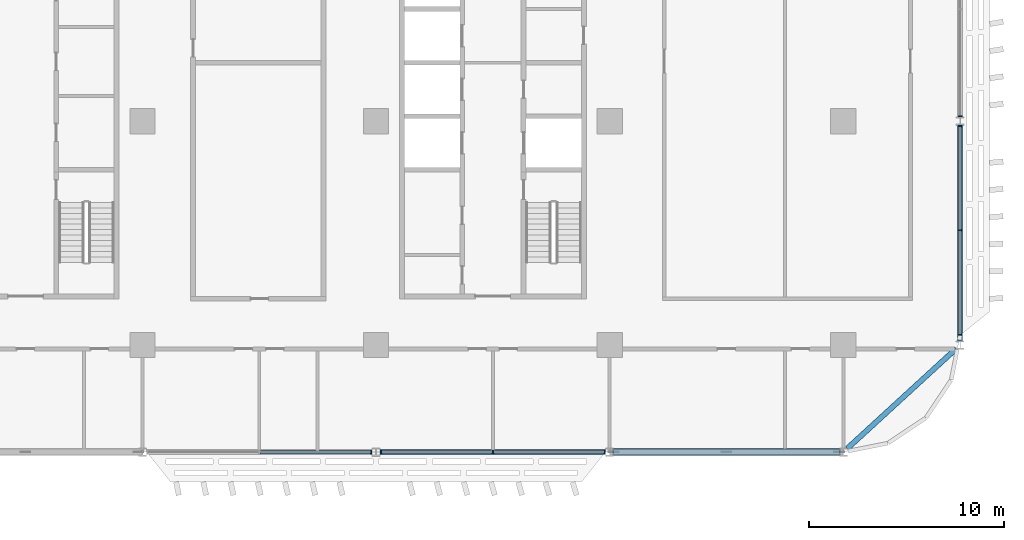
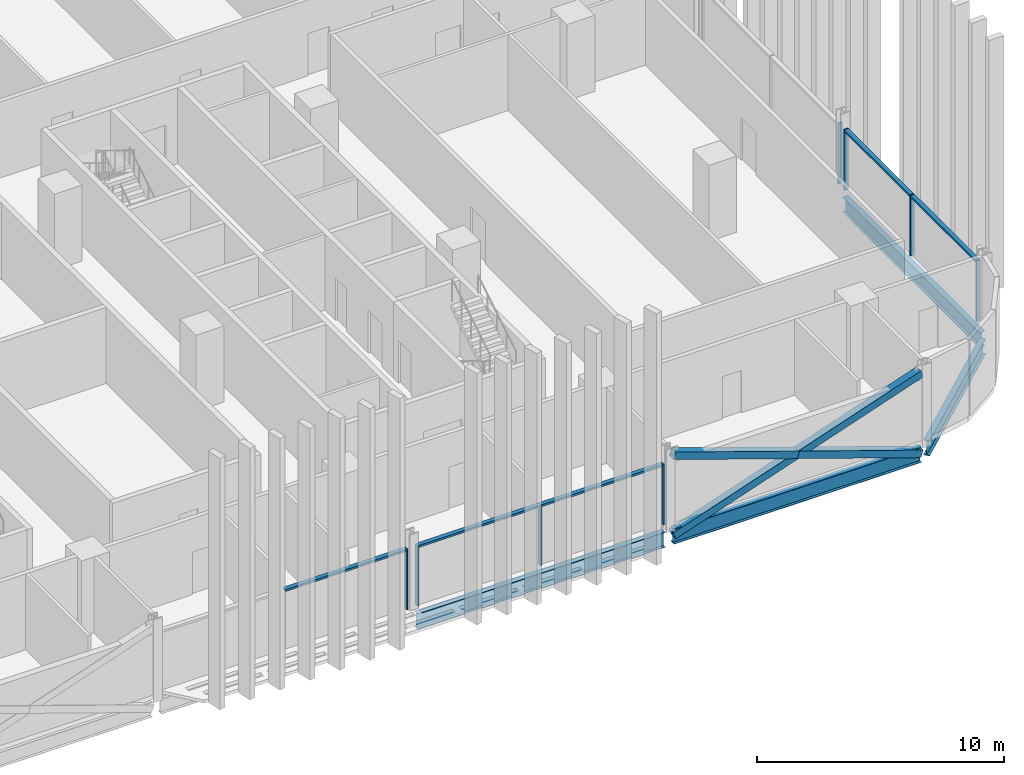
# One storey, part 8 of 32: 16 members, 4 beams, 4 elements without a shape of their own.
"""IFC4 building model written with IfcOpenShell, lengths in metres."""

from ifc_helpers import new_model, si_unit, direction, frame, origin, origin_2d, place, context, subcontext, project, spatial, rectangle, hollow_rectangle, i_section, extrude, material, material_profile, profile_set, type_object, element, aggregate, save


model = new_model("IFC4")

# Units and contexts
model_context = context("Model", 3, precision=1e-05, world=origin(), true_north=direction((0.0, 1.0)))
body_context = subcontext(model_context, "Body", "Model", "MODEL_VIEW")
ifc_project = project(units=[si_unit("LENGTHUNIT", "METRE"), si_unit("AREAUNIT", "SQUARE_METRE"), si_unit("VOLUMEUNIT", "CUBIC_METRE"), si_unit("PLANEANGLEUNIT", "RADIAN"), si_unit("MASSUNIT", "GRAM", prefix="KILO")], contexts=[model_context])

# Site, building, storey
site_placement = place(None, origin())
site = spatial("IfcSite", under=ifc_project, at=site_placement, CompositionType="ELEMENT")
building_placement = place(site_placement, origin())
building = spatial("IfcBuilding", under=site, at=building_placement, Name="Mahtab Terrace Research Tower", CompositionType="ELEMENT")
storey_placement = place(building_placement, frame((0.0, 0.0, 138.39990234375)))
storey = spatial("IfcBuildingStorey", under=building, at=storey_placement, Name="L32", CompositionType="ELEMENT", Elevation=138.39990234375)

# Members
ifc_material_1 = material(Name="Steel ASTM A500 Gr C", Category="steel")
ifc_material_profile_1 = material_profile(ifc_material_1, hollow_rectangle(XDim=0.355712890625, YDim=0.355712890625, WallThickness=0.01904296875, at=origin_2d()), Name="HSS14X14X3/4")
ifc_profile_set_1 = profile_set([ifc_material_profile_1], Name="Steel ASTM A500 Gr C")
member_type_1 = type_object("IfcMemberType", Name="HSS 14x14x3/4 brace XB141434", PredefinedType="BRACE", material=ifc_profile_set_1)
member_1_placement = place(storey_placement, frame((30.205810546875, -17.0, -0.64794921875), z_axis=(0.946294377485, 0.0, 0.323306280699), x_axis=(0.0, 1.0, 0.0)))
element("IfcMember", 1, at=member_1_placement, inside=storey, type_object=member_type_1, Name="Exoskeleton brace L32 20 a", PredefinedType="BRACE", context=body_context, shape_type="SweptSolid", body=[
    extrude(hollow_rectangle(XDim=0.355712890625, YDim=0.355712890625, WallThickness=0.01904296875, at=origin_2d()), origin(), (0.0, 0.0, 1.0), 12.24609375),
])
for number, where, z_axis, x_axis, name in (
    (2, (41.794189453125, -17.0, -0.64794921875), (-0.946300476713, 0.0, 0.323288428146), (0.0, -1.0, 0.0), "Exoskeleton brace L32 20 b1"),
    (3, (36.0, -17.0, 1.33154296875), (-0.946288278, 0.0, 0.323324132908), (0.0, -1.0, 0.0), "Exoskeleton brace L32 20 b2"),
):
    element("IfcMember", number, at=place(storey_placement, frame(where, z_axis=z_axis, x_axis=x_axis)), inside=storey, type_object=member_type_1, Name=name, PredefinedType="BRACE", context=body_context, shape_type="SweptSolid", body=[
        extrude(hollow_rectangle(XDim=0.355712890625, YDim=0.355712890625, WallThickness=0.01904296875, at=origin_2d()), origin(), (0.0, 0.0, 1.0), 6.123046875),
    ])

# Curtain wall, member
ifc_material_2 = material(Name="Laboratory ribbon curtain wall")
curtain_wall_type = type_object("IfcCurtainWallType", Name="Laboratory ribbon curtain wall", PredefinedType="NOTDEFINED", material=ifc_material_2)
curtain_wall_1_placement = place(storey_placement, origin())
curtain_wall_1 = element("IfcCurtainWall", 4, at=curtain_wall_1_placement, inside=storey, type_object=curtain_wall_type, Name="EN.L32.13.28", PredefinedType="NOTDEFINED")
ifc_material_3 = material(Name="Natural anodised aluminium", Category="aluminium")
ifc_material_profile_2 = material_profile(ifc_material_3, rectangle(XDim=0.199951171875, YDim=0.06494140625, at=origin_2d()), Name="MULLION 65x200")
ifc_profile_set_2 = profile_set([ifc_material_profile_2], Name="Natural anodised aluminium")
member_type_2 = type_object("IfcMemberType", Name="Laboratory ribbon curtain wall mullion", PredefinedType="MULLION", material=ifc_profile_set_2)
member_2_placement = place(storey_placement, frame((17.74951171875, -17.0, 0.0), z_axis=(0.0, 0.0, 1.0), x_axis=(0.0, 1.0, 0.0)))
member_2 = element("IfcMember", 5, at=member_2_placement, type_object=member_type_2, Name="CWL-4 mullion 3", PredefinedType="MULLION", context=body_context, shape_type="SweptSolid", body=[
    extrude(rectangle(XDim=0.199951171875, YDim=0.06494140625, at=origin_2d()), origin(), (0.0, 0.0, 1.0), 3.003173828125),
])

# Curtain wall, members
curtain_wall_2_placement = place(storey_placement, origin())
curtain_wall_2 = element("IfcCurtainWall", 6, at=curtain_wall_2_placement, inside=storey, type_object=curtain_wall_type, Name="EN.L32.13.29", PredefinedType="NOTDEFINED")
member_3_placement = place(storey_placement, frame((18.25048828125, -17.0, 0.0), z_axis=(0.0, 0.0, 1.0), x_axis=(0.0, 1.0, 0.0)))
member_3 = element("IfcMember", 7, at=member_3_placement, type_object=member_type_2, Name="CWL-4 mullion 1", PredefinedType="MULLION", context=body_context, shape_type="SweptSolid", body=[
    extrude(rectangle(XDim=0.199951171875, YDim=0.06494140625, at=origin_2d()), origin(), (0.0, 0.0, 1.0), 3.003173828125),
])
member_4_placement = place(storey_placement, frame((24.0, -17.0, 0.0), z_axis=(0.0, 0.0, 1.0), x_axis=(0.0, 1.0, 0.0)))
member_4 = element("IfcMember", 8, at=member_4_placement, type_object=member_type_2, Name="CWL-4 mullion 2", PredefinedType="MULLION", context=body_context, shape_type="SweptSolid", body=[
    extrude(rectangle(XDim=0.199951171875, YDim=0.06494140625, at=origin_2d()), origin(), (0.0, 0.0, 1.0), 3.003173828125),
])
member_5_placement = place(storey_placement, frame((29.74951171875, -17.0, 0.0), z_axis=(0.0, 0.0, 1.0), x_axis=(0.0, 1.0, 0.0)))
member_5 = element("IfcMember", 9, at=member_5_placement, type_object=member_type_2, Name="CWL-4 mullion 3", PredefinedType="MULLION", context=body_context, shape_type="SweptSolid", body=[
    extrude(rectangle(XDim=0.199951171875, YDim=0.06494140625, at=origin_2d()), origin(), (0.0, 0.0, 1.0), 3.003173828125),
])

curtain_wall_3_placement = place(storey_placement, origin())
curtain_wall_3 = element("IfcCurtainWall", 10, at=curtain_wall_3_placement, inside=storey, type_object=curtain_wall_type, Name="EN.L32.18.36", PredefinedType="NOTDEFINED")
member_6_placement = place(storey_placement, frame((48.0, -10.967529296875, 0.0), z_axis=(0.0, 0.0, 1.0), x_axis=(-1.0, 0.0, 0.0)))
member_6 = element("IfcMember", 11, at=member_6_placement, type_object=member_type_2, Name="CWL-4 mullion 1", PredefinedType="MULLION", context=body_context, shape_type="SweptSolid", body=[
    extrude(rectangle(XDim=0.199951171875, YDim=0.06494140625, at=origin_2d()), origin(), (0.0, 0.0, 1.0), 3.003173828125),
])
member_7_placement = place(storey_placement, frame((48.0, -5.60888671875, 0.0), z_axis=(0.0, 0.0, 1.0), x_axis=(-1.0, 0.0, 0.0)))
member_7 = element("IfcMember", 12, at=member_7_placement, type_object=member_type_2, Name="CWL-4 mullion 2", PredefinedType="MULLION", context=body_context, shape_type="SweptSolid", body=[
    extrude(rectangle(XDim=0.199951171875, YDim=0.06494140625, at=origin_2d()), origin(), (0.0, 0.0, 1.0), 3.003173828125),
])
member_8_placement = place(storey_placement, frame((48.0, -0.25048828125, 0.0), z_axis=(0.0, 0.0, 1.0), x_axis=(-1.0, 0.0, 0.0)))
member_8 = element("IfcMember", 13, at=member_8_placement, type_object=member_type_2, Name="CWL-4 mullion 3", PredefinedType="MULLION", context=body_context, shape_type="SweptSolid", body=[
    extrude(rectangle(XDim=0.199951171875, YDim=0.06494140625, at=origin_2d()), origin(), (0.0, 0.0, 1.0), 3.003173828125),
])

# Curtain wall, member
curtain_wall_4_placement = place(storey_placement, origin())
curtain_wall_4 = element("IfcCurtainWall", 14, at=curtain_wall_4_placement, inside=storey, type_object=curtain_wall_type, Name="EN.L32.18.37", PredefinedType="NOTDEFINED")
member_9_placement = place(storey_placement, frame((48.0, 0.25048828125, 0.0), z_axis=(0.0, 0.0, 1.0), x_axis=(-1.0, 0.0, 0.0)))
member_9 = element("IfcMember", 15, at=member_9_placement, type_object=member_type_2, Name="CWL-4 mullion 1", PredefinedType="MULLION", context=body_context, shape_type="SweptSolid", body=[
    extrude(rectangle(XDim=0.199951171875, YDim=0.06494140625, at=origin_2d()), origin(), (0.0, 0.0, 1.0), 3.003173828125),
])
aggregate(curtain_wall_4, [member_9])

# Member
ifc_material_profile_3 = material_profile(ifc_material_3, rectangle(XDim=0.199951171875, YDim=0.10009765625, at=origin_2d()), Name="TRANSOM 100x200")
ifc_profile_set_3 = profile_set([ifc_material_profile_3], Name="Natural anodised aluminium")
member_type_3 = type_object("IfcMemberType", Name="Laboratory ribbon curtain wall transom", PredefinedType="USERDEFINED", material=ifc_profile_set_3)
member_10_placement = place(storey_placement, frame((12.032470703125, -17.0, 2.953125), z_axis=(1.0, 0.0, 0.0), x_axis=(0.0, 1.0, 0.0)))
member_10 = element("IfcMember", 16, at=member_10_placement, type_object=member_type_3, Name="CWL-4 transom 2", ObjectType="TRANSOM", PredefinedType="USERDEFINED", context=body_context, shape_type="SweptSolid", body=[
    extrude(rectangle(XDim=0.199951171875, YDim=0.10009765625, at=origin_2d()), origin(), (0.0, 0.0, 1.0), 5.6845703125),
])

aggregate(curtain_wall_1, [member_2, member_10])

member_11_placement = place(storey_placement, frame((18.282958984375, -17.0, 2.953125), z_axis=(1.0, 0.0, 0.0), x_axis=(0.0, 1.0, 0.0)))
member_11 = element("IfcMember", 17, at=member_11_placement, type_object=member_type_3, Name="CWL-4 transom 1", ObjectType="TRANSOM", PredefinedType="USERDEFINED", context=body_context, shape_type="SweptSolid", body=[
    extrude(rectangle(XDim=0.199951171875, YDim=0.10009765625, at=origin_2d()), origin(), (0.0, 0.0, 1.0), 5.6845703125),
])

member_12_placement = place(storey_placement, frame((24.032470703125, -17.0, 2.953125), z_axis=(1.0, 0.0, 0.0), x_axis=(0.0, 1.0, 0.0)))
member_12 = element("IfcMember", 18, at=member_12_placement, type_object=member_type_3, Name="CWL-4 transom 2", ObjectType="TRANSOM", PredefinedType="USERDEFINED", context=body_context, shape_type="SweptSolid", body=[
    extrude(rectangle(XDim=0.199951171875, YDim=0.10009765625, at=origin_2d()), origin(), (0.0, 0.0, 1.0), 5.6845703125),
])

aggregate(curtain_wall_2, [member_3, member_4, member_5, member_11, member_12])

member_13_placement = place(storey_placement, frame((48.0, -10.93505859375, 2.953125), z_axis=(0.0, 1.0, 0.0), x_axis=(-1.0, 0.0, 0.0)))
member_13 = element("IfcMember", 19, at=member_13_placement, type_object=member_type_3, Name="CWL-4 transom 1", ObjectType="TRANSOM", PredefinedType="USERDEFINED", context=body_context, shape_type="SweptSolid", body=[
    extrude(rectangle(XDim=0.199951171875, YDim=0.10009765625, at=origin_2d()), origin(), (0.0, 0.0, 1.0), 5.29345703125),
])

member_14_placement = place(storey_placement, frame((48.0, -5.576416015625, 2.953125), z_axis=(0.0, 1.0, 0.0), x_axis=(-1.0, 0.0, 0.0)))
member_14 = element("IfcMember", 20, at=member_14_placement, type_object=member_type_3, Name="CWL-4 transom 2", ObjectType="TRANSOM", PredefinedType="USERDEFINED", context=body_context, shape_type="SweptSolid", body=[
    extrude(rectangle(XDim=0.199951171875, YDim=0.10009765625, at=origin_2d()), origin(), (0.0, 0.0, 1.0), 5.29345703125),
])

aggregate(curtain_wall_3, [member_6, member_7, member_8, member_13, member_14])

# Beams
ifc_material_4 = material(Name="Steel ASTM A992 Gr 50", Category="steel")
ifc_material_profile_4 = material_profile(ifc_material_4, i_section(OverallWidth=0.2666015625, OverallDepth=0.7568359375, WebThickness=0.013916015625, FlangeThickness=0.019287109375, at=origin_2d()), Name="W30X108")
ifc_profile_set_4 = profile_set([ifc_material_profile_4], Name="Steel ASTM A992 Gr 50")
beam_type = type_object("IfcBeamType", Name="W30x108 beam BS30108", PredefinedType="BEAM", material=ifc_profile_set_4)
for number, where, z_axis, x_axis, name in (
    (21, (18.205810546875, -17.0, -0.71826171875), (1.0, 0.0, 0.0), (0.0, 1.0, 0.0), "Spandrel beam L32 19"),
    (22, (30.205810546875, -17.0, -0.71826171875), (1.0, 0.0, 0.0), (0.0, 1.0, 0.0), "Spandrel beam L32 20"),
):
    element("IfcBeam", number, at=place(storey_placement, frame(where, z_axis=z_axis, x_axis=x_axis)), inside=storey, type_object=beam_type, Name=name, PredefinedType="BEAM", context=body_context, shape_type="SweptSolid", body=[
        extrude(i_section(OverallWidth=0.2666015625, OverallDepth=0.7568359375, WebThickness=0.013916015625, FlangeThickness=0.019287109375, at=origin_2d()), origin(), (0.0, 0.0, 1.0), 11.58837890625),
    ])
beam_1_placement = place(storey_placement, frame((42.205810546875, -16.811279296875, -0.71826171875), z_axis=(0.737162160905, 0.675715878554, 0.0), x_axis=(-0.675715878554, 0.737162160905, 0.0)))
element("IfcBeam", 23, at=beam_1_placement, inside=storey, type_object=beam_type, Name="Spandrel beam L32 21", PredefinedType="BEAM", context=body_context, shape_type="SweptSolid", body=[
    extrude(i_section(OverallWidth=0.2666015625, OverallDepth=0.7568359375, WebThickness=0.013916015625, FlangeThickness=0.019287109375, at=origin_2d()), origin(), (0.0, 0.0, 1.0), 7.5810546875),
])
beam_2_placement = place(storey_placement, frame((48.0, -11.282958984375, -0.71826171875), z_axis=(0.0, 1.0, 0.0), x_axis=(-1.0, 0.0, 0.0)))
element("IfcBeam", 24, at=beam_2_placement, inside=storey, type_object=beam_type, Name="Spandrel beam L32 22", PredefinedType="BEAM", context=body_context, shape_type="SweptSolid", body=[
    extrude(i_section(OverallWidth=0.2666015625, OverallDepth=0.7568359375, WebThickness=0.013916015625, FlangeThickness=0.019287109375, at=origin_2d()), origin(), (0.0, 0.0, 1.0), 11.06591796875),
])

save(model, "model.ifc")
